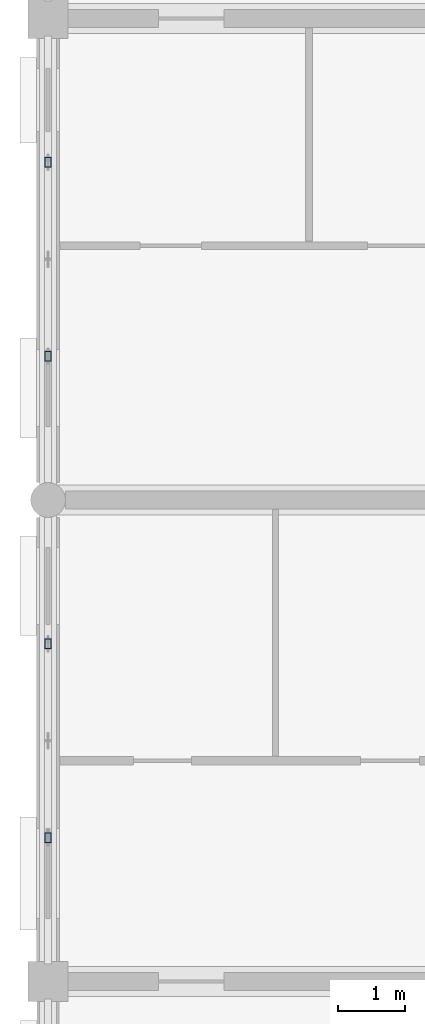
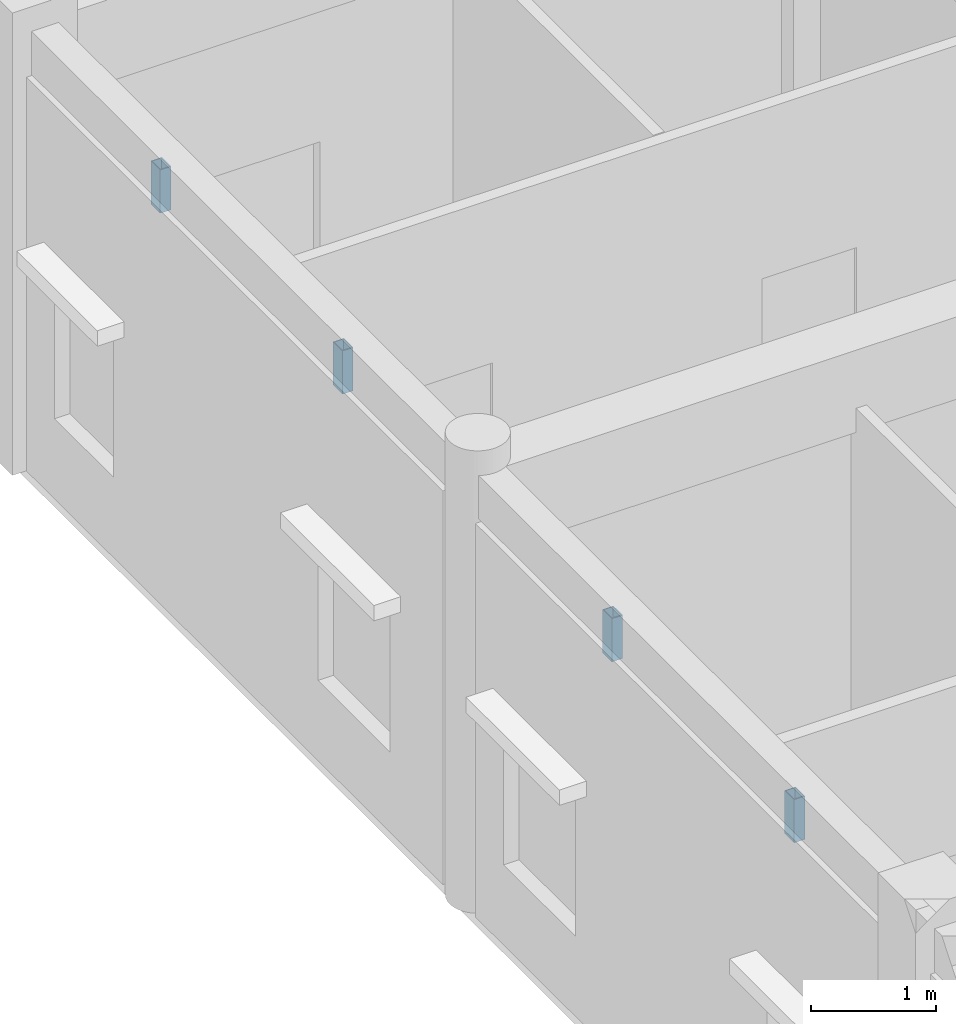
# One storey, part 42 of 138: 4 members.
"""IFC4 building model written with IfcOpenShell, lengths in metres."""

import ifcopenshell
import ifcopenshell.guid

model = None  # the IFC model being written
_history = None  # IfcOwnerHistory: only IFC2X3 demands one
_inside = {}  # id of a spatial element -> (the spatial element, [elements in it])
_under = {}  # id of a project, library or spatial element -> (it, [spatial elements below it])
_declared = {}  # id of a project -> (the project, [libraries it declares])
_typed = {}  # id of a type object -> (the type object, [elements of that type])
_made_of = {}  # id of a material, layer set ... -> (it, [elements and type objects made of it])


def new_model(schema):
    """Start an empty IFC model of exactly this schema.

    Asked for "IFC4X3", IfcOpenShell would pick the latest addendum, in which some entities
    have other attributes; the version numbers below select the first issue.
    IFC2X3 requires an IfcOwnerHistory on every rooted entity: one is made here for all.
    """
    global model, _history
    if schema == "IFC4X3":
        model = ifcopenshell.file(schema_version=(4, 3, 0, 0))
    else:
        model = ifcopenshell.file(schema=schema)
    _inside.clear()
    _under.clear()
    _declared.clear()
    _typed.clear()
    _made_of.clear()
    _history = None
    if model.schema == "IFC2X3":
        org = make("IfcOrganization", Name="unknown")
        user = make(
            "IfcPersonAndOrganization",
            ThePerson=make("IfcPerson", FamilyName="unknown"),
            TheOrganization=org,
        )
        app = make(
            "IfcApplication",
            ApplicationDeveloper=org,
            Version="unknown",
            ApplicationFullName="unknown",
            ApplicationIdentifier="unknown",
        )
        _history = make(
            "IfcOwnerHistory",
            OwningUser=user,
            OwningApplication=app,
            ChangeAction="ADDED",
            CreationDate=0,
        )
    return model


def make(cls, **values):
    """One entity of the class cls with the attributes given. An attribute that is None is left unset."""
    return model.create_entity(
        cls, **{name: value for name, value in values.items() if value is not None}
    )


def rooted(cls, **values):
    """An entity with a GlobalId (a new one), such as an element, a storey or a relation."""
    return make(cls, GlobalId=ifcopenshell.guid.new(), OwnerHistory=_history, **values)


def si_unit(unit_type, name, prefix=None):
    """IfcSIUnit, for example si_unit("LENGTHUNIT", "METRE", prefix="MILLI")."""
    return make("IfcSIUnit", UnitType=unit_type, Prefix=prefix, Name=name)


def assignment(units):
    """IfcUnitAssignment: the units of a project."""
    return None if units is None else make("IfcUnitAssignment", Units=units)


def point(xyz):
    """IfcCartesianPoint."""
    return None if xyz is None else make("IfcCartesianPoint", Coordinates=xyz)


def direction(xyz):
    """IfcDirection."""
    return None if xyz is None else make("IfcDirection", DirectionRatios=xyz)


def frame(location, z_axis=None, x_axis=None):
    """IfcAxis2Placement3D, a coordinate frame: its origin and axes. An axis left out is left unset."""
    return make(
        "IfcAxis2Placement3D",
        Location=point(location),
        Axis=direction(z_axis),
        RefDirection=direction(x_axis),
    )


def frame_2d(location, x_axis=None):
    """IfcAxis2Placement2D, a coordinate frame in the plane: its origin and x axis."""
    return make(
        "IfcAxis2Placement2D", Location=point(location), RefDirection=direction(x_axis)
    )


def origin():
    """The frame at (0, 0, 0) with its axes left unset."""
    return frame((0.0, 0.0, 0.0))


def origin_2d():
    """The frame at (0, 0) in the plane with its x axis left unset."""
    return frame_2d((0.0, 0.0))


def place(relative_to, where):
    """IfcLocalPlacement: puts the frame where relative to a parent placement (None: the world)."""
    return make(
        "IfcLocalPlacement", PlacementRelTo=relative_to, RelativePlacement=where
    )


def context(
    kind, dimensions, precision=None, world=None, true_north=None, identifier=None
):
    """IfcGeometricRepresentationContext, for example the 3D "Model" context."""
    return make(
        "IfcGeometricRepresentationContext",
        ContextIdentifier=identifier,
        ContextType=kind,
        CoordinateSpaceDimension=dimensions,
        Precision=precision,
        WorldCoordinateSystem=world,
        TrueNorth=true_north,
    )


def subcontext(parent, identifier, kind, view, scale=None):
    """IfcGeometricRepresentationSubContext, for example "Body" below "Model"."""
    return make(
        "IfcGeometricRepresentationSubContext",
        ContextIdentifier=identifier,
        ContextType=kind,
        ParentContext=parent,
        TargetScale=scale,
        TargetView=view,
    )


def project(units=None, contexts=None):
    """IfcProject with its units and contexts."""
    return rooted(
        "IfcProject",
        Name="project",
        RepresentationContexts=contexts,
        UnitsInContext=assignment(units),
    )


def spatial(cls, under=None, at=None, **own):
    """A site, building, storey or space (cls), placed at a placement, below another one or the project."""
    s = rooted(cls, ObjectPlacement=at, **own)
    if under is not None:
        _under.setdefault(under.id(), (under, []))[1].append(s)
    return s


def profile(cls, at=None, kind="AREA", **sizes):
    """A parametric profile (cls). Its sizes go by their IFC names, for example OverallWidth=200.0."""
    return make(cls, ProfileType=kind, Position=at, **sizes)


def hollow_rectangle(**sizes):
    """IfcRectangleHollowProfileDef."""
    return profile("IfcRectangleHollowProfileDef", **sizes)


def extrude(swept, where, along, depth):
    """IfcExtrudedAreaSolid: the profile swept, set in the frame where, extruded along a direction by depth."""
    return make(
        "IfcExtrudedAreaSolid",
        SweptArea=swept,
        Position=where,
        ExtrudedDirection=direction(along),
        Depth=depth,
    )


def shape(context_of_items, identifier, shape_type, items):
    """IfcShapeRepresentation: the items that make up one representation, for example the "Body"."""
    return make(
        "IfcShapeRepresentation",
        ContextOfItems=context_of_items,
        RepresentationIdentifier=identifier,
        RepresentationType=shape_type,
        Items=items,
    )


def material(Name=None, Category=None):
    """IfcMaterial."""
    return make("IfcMaterial", Name=Name, Category=Category)


def material_profile(
    of_material, cross_section, Name=None, Category=None, Priority=None
):
    """IfcMaterialProfile: a cross section and its material."""
    return make(
        "IfcMaterialProfile",
        Name=Name,
        Material=of_material,
        Profile=cross_section,
        Priority=Priority,
        Category=Category,
    )


def profile_set(profiles, Name=None, composite=None):
    """IfcMaterialProfileSet."""
    return make(
        "IfcMaterialProfileSet",
        Name=Name,
        MaterialProfiles=profiles,
        CompositeProfile=composite,
    )


def made_of(thing, what):
    """Note that an element or type object is made of a material, layer set ...; save() writes the relation."""
    if what is not None:
        _made_of.setdefault(what.id(), (what, []))[1].append(thing)
    return thing


def type_object(cls, material=None, **own):
    """A type object (cls), such as IfcWallType, which elements share."""
    return made_of(rooted(cls, **own), material)


def element(
    cls,
    number,
    at=None,
    inside=None,
    cuts=None,
    type_object=None,
    material=None,
    context=None,
    identifier="Body",
    shape_type=None,
    held_by="IfcProductDefinitionShape",
    body=None,
    shapes=None,
    **own,
):
    """One element of the class cls, such as IfcWall. Its Tag is "e" and its number.

    at: its placement. inside: the storey or other place that contains it. cuts: it is an
    opening in that element (IfcRelVoidsElement). A single representation is given by context,
    identifier, shape_type and body (its items); several are given by shapes. held_by: the class
    of the entity that holds the representations. save() writes the other relations.
    """
    e = rooted(cls, Tag="e%d" % number, ObjectPlacement=at, **own)
    if body is not None:
        shapes = [shape(context, identifier, shape_type, body)]
    if shapes is not None:
        e.Representation = make(held_by, Representations=shapes)
    if inside is not None:
        _inside.setdefault(inside.id(), (inside, []))[1].append(e)
    if cuts is not None:
        rooted(
            "IfcRelVoidsElement", RelatingBuildingElement=cuts, RelatedOpeningElement=e
        )
    if type_object is not None:
        _typed.setdefault(type_object.id(), (type_object, []))[1].append(e)
    return made_of(e, material)


def aggregate(whole, parts):
    """IfcRelAggregates: a whole, such as a stair, and the parts it consists of."""
    return rooted("IfcRelAggregates", RelatingObject=whole, RelatedObjects=parts)


def save(model, path):
    """Write the relations noted so far, then the file.

    IfcRelAggregates (storeys below a building ...), IfcRelContainedInSpatialStructure (elements
    in a storey), IfcRelDefinesByType, IfcRelAssociatesMaterial and IfcRelDeclares: one each for
    every whole, place, type object, material and project.
    """
    for whole, parts in _under.values():
        aggregate(whole, parts)
    for where, things in _inside.values():
        rooted(
            "IfcRelContainedInSpatialStructure",
            RelatedElements=things,
            RelatingStructure=where,
        )
    for kind, things in _typed.values():
        rooted("IfcRelDefinesByType", RelatedObjects=things, RelatingType=kind)
    for what, things in _made_of.values():
        rooted("IfcRelAssociatesMaterial", RelatedObjects=things, RelatingMaterial=what)
    for by, libraries in _declared.values():
        rooted("IfcRelDeclares", RelatingContext=by, RelatedDefinitions=libraries)
    model.write(path)


model = new_model("IFC4")

# Units and contexts
model_context = context("Model", 3, precision=1e-05, world=origin(), true_north=direction((0.0, 1.0)))
body_context = subcontext(model_context, "Body", "Model", "MODEL_VIEW")
ifc_project = project(units=[si_unit("LENGTHUNIT", "METRE"), si_unit("AREAUNIT", "SQUARE_METRE"), si_unit("VOLUMEUNIT", "CUBIC_METRE"), si_unit("PLANEANGLEUNIT", "RADIAN"), si_unit("MASSUNIT", "GRAM", prefix="KILO"), si_unit("THERMODYNAMICTEMPERATUREUNIT", "KELVIN"), si_unit("POWERUNIT", "WATT")], contexts=[model_context])

# Site, building, storey
site_placement = place(None, origin())
site = spatial("IfcSite", under=ifc_project, at=site_placement, CompositionType="ELEMENT")
building_placement = place(site_placement, origin())
building = spatial("IfcBuilding", under=site, at=building_placement, Name="Tavuni Mirador Residences", CompositionType="ELEMENT")
storey_placement = place(building_placement, origin())
storey = spatial("IfcBuildingStorey", under=building, at=storey_placement, Name="L00", CompositionType="ELEMENT", Elevation=0.0)

# Members
ifc_material = material(Name="Structural steel S355", Category="steel")
ifc_material_profile = material_profile(ifc_material, hollow_rectangle(XDim=0.10009765625, YDim=0.14990234375, WallThickness=0.008056640625, at=origin_2d()), Name="RHS 150x100x8.0", Category="steel")
ifc_profile_set = profile_set([ifc_material_profile], Name="Structural steel S355")
member_type = type_object("IfcMemberType", Name="MT-BR-RHS150", PredefinedType="BRACE", material=ifc_profile_set)
for number, where, z_axis, x_axis, name in (
    (1, (3.60009765625, 74.14794921875, 3.6298828125), (0.0, 0.0, 1.0), (1.0, 0.0, 0.0), "ARCH-BLKB-W-01-V1"),
    (2, (3.60009765625, 77.052001953125, 3.6298828125), (0.0, 0.0, 1.0), (1.0, 0.0, 0.0), "ARCH-BLKB-W-01-V2"),
    (3, (3.60009765625, 81.347900390625, 3.6298828125), (0.0, 0.0, 1.0), (1.0, 0.0, 0.0), "ARCH-BLKB-W-02-V1"),
    (4, (3.60009765625, 84.251953125, 3.6298828125), (0.0, 0.0, 1.0), (1.0, 0.0, 0.0), "ARCH-BLKB-W-02-V2"),
):
    element("IfcMember", number, at=place(storey_placement, frame(where, z_axis=z_axis, x_axis=x_axis)), inside=storey, type_object=member_type, Name=name, PredefinedType="BRACE", context=body_context, shape_type="SweptSolid", body=[
        extrude(hollow_rectangle(XDim=0.10009765625, YDim=0.14990234375, WallThickness=0.008056640625, at=origin_2d()), origin(), (0.0, 0.0, 1.0), 0.420166015625),
    ])

save(model, "model.ifc")
